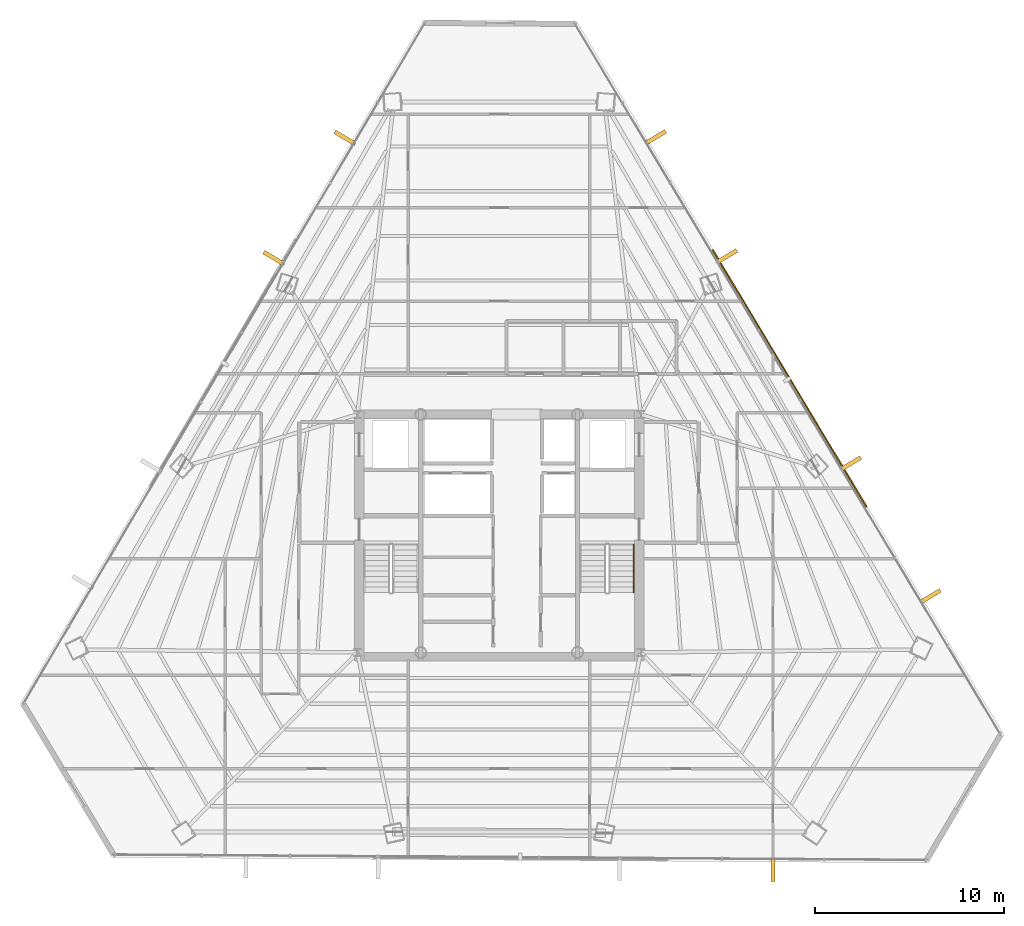
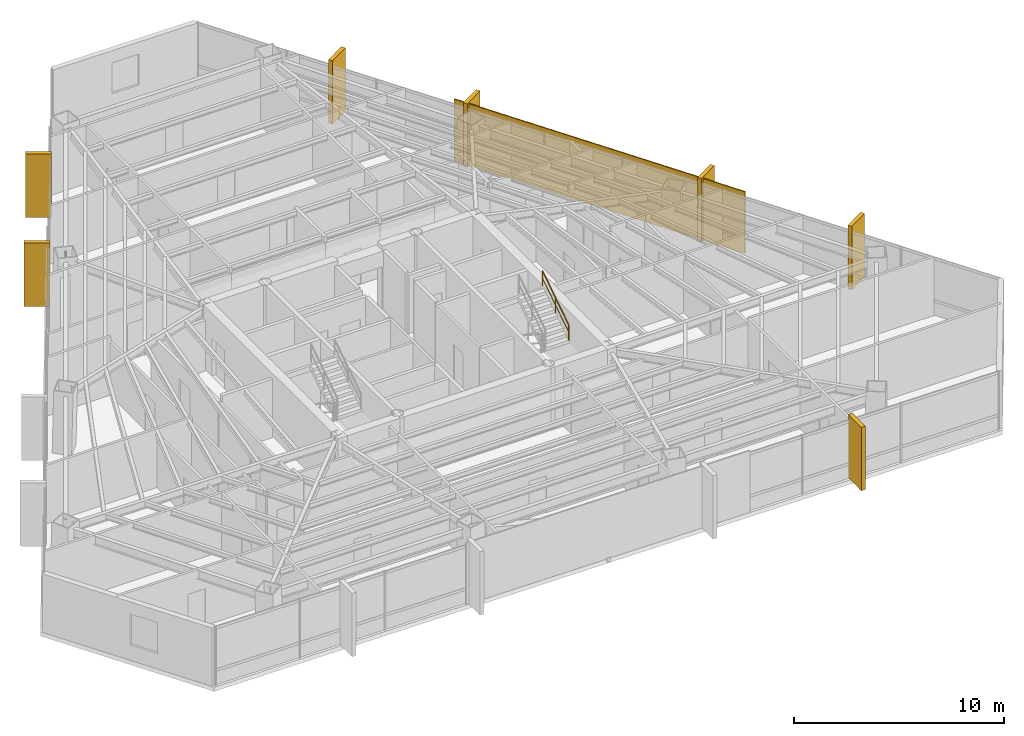
# One storey, part 41 of 41: 7 coverings, 1 railing, 1 shading device.
"""IFC4 building model written with IfcOpenShell, lengths in metres."""

from ifc_helpers import new_model, si_unit, direction, frame, origin, origin_2d, place, context, subcontext, project, spatial, rectangle, extrude, source, transform, mapped, material, layer, layer_set, type_object, type_shapes, element, save


model = new_model("IFC4")

# Units and contexts
model_context = context("Model", 3, precision=1e-05, world=origin(), true_north=direction((0.0, 1.0)))
body_context = subcontext(model_context, "Body", "Model", "MODEL_VIEW")
ifc_project = project(units=[si_unit("LENGTHUNIT", "METRE"), si_unit("AREAUNIT", "SQUARE_METRE"), si_unit("VOLUMEUNIT", "CUBIC_METRE"), si_unit("PLANEANGLEUNIT", "RADIAN"), si_unit("MASSUNIT", "GRAM", prefix="KILO")], contexts=[model_context])

# Site, building, storey
site_placement = place(None, origin())
site = spatial("IfcSite", under=ifc_project, at=site_placement, CompositionType="ELEMENT")
building_placement = place(site_placement, origin())
building = spatial("IfcBuilding", under=site, at=building_placement, Name="Caelisora Broadcast Tower", CompositionType="ELEMENT")
storey_placement = place(building_placement, frame((0.0, 0.0, 180.39990234375)))
storey = spatial("IfcBuildingStorey", under=building, at=storey_placement, Name="L47", CompositionType="ELEMENT", Elevation=180.39990234375)

# Railing
ifc_material_1 = material(Name="Stainless Steel Grade 316 Tubular Handrail", Category="steel")
ifc_layer_1 = layer(ifc_material_1, 0.048095703125, Name="Stainless Steel Grade 316 Tubular Handrail")
ifc_layer_set_1 = layer_set([ifc_layer_1], Name="Stainless Steel Grade 316 Tubular Handrail")
railing_type = type_object("IfcRailingType", Name="HR-1", PredefinedType="HANDRAIL", material=ifc_layer_set_1)
railing_placement = place(storey_placement, frame((45.1298828125, 20.580078125, 2.007568359375)))
element("IfcRailing", 1, at=railing_placement, inside=storey, type_object=railing_type, Name="L47 ST-2 stair handrail 2", PredefinedType="HANDRAIL", context=body_context, shape_type="SweptSolid", body=[
    extrude(rectangle(XDim=0.048095703125, YDim=0.048095703125, at=origin_2d()), frame((0.0, 0.0, 0.8759765625), z_axis=(0.0, 0.837749427056, 0.546054848405), x_axis=(-1.0, 0.0, 0.0)), (0.0, 0.0, 1.0), 3.008056640625),
    extrude(rectangle(XDim=0.03125, YDim=0.03125, at=origin_2d()), frame((0.0, 0.0, 0.449951171875), z_axis=(0.0, 0.837749427056, 0.546054848405), x_axis=(-1.0, 0.0, 0.0)), (0.0, 0.0, 1.0), 3.008056640625),
    extrude(rectangle(XDim=0.0419921875, YDim=0.0419921875, at=origin_2d()), origin(), (0.0, 0.0, 1.0), 0.851806640625),
    extrude(rectangle(XDim=0.0419921875, YDim=0.0419921875, at=origin_2d()), frame((0.0, 1.260009765625, 0.8212890625)), (0.0, 0.0, 1.0), 0.851806640625),
    extrude(rectangle(XDim=0.0419921875, YDim=0.0419921875, at=origin_2d()), frame((0.0, 2.52001953125, 1.642578125)), (0.0, 0.0, 1.0), 0.851806640625),
])

# Coverings
ifc_material_2 = material(Name="Kiln-Fired Terracotta Spandrel Rainscreen Cladding", Category="ceramic")
ifc_layer_2 = layer(ifc_material_2, 0.044921875, Name="Kiln-Fired Terracotta Spandrel Rainscreen Cladding")
ifc_layer_set_2 = layer_set([ifc_layer_2], Name="Kiln-Fired Terracotta Spandrel Rainscreen Cladding")
covering_type = type_object("IfcCoveringType", Name="CL-1", PredefinedType="CLADDING", material=ifc_layer_set_2)
shared_shape_1 = source(origin(), body_context, "Body", "SweptSolid", [
    extrude(rectangle(XDim=0.219970703125, YDim=1.25, at=origin_2d()), origin(), (0.0, 0.0, 1.0), 3.68994140625),
])
type_shapes(covering_type, [shared_shape_1])
for number, where, z_axis, x_axis, name in (
    (2, (46.2724609375, 44.664306640625, -0.019775390625), (0.0, 0.0, 1.0), (0.513840741921, -0.857885593737, 0.0), "L47 vertical solar fin cladding #1-1"),
    (3, (50.04833984375, 38.359619140625, -0.019775390625), (0.0, 0.0, 1.0), (0.513840741921, -0.857885593737, 0.0), "L47 vertical solar fin cladding #1-2"),
    (4, (56.612548828125, 27.3994140625, -0.019775390625), (0.0, 0.0, 1.0), (0.513840741921, -0.857885593737, 0.0), "L47 vertical solar fin cladding #1-3"),
    (5, (60.824951171875, 20.3662109375, -0.019775390625), (0.0, 0.0, 1.0), (0.513840741921, -0.857885593737, 0.0), "L47 vertical solar fin cladding #1-4"),
    (6, (52.505615234375, 5.89892578125, -0.019775390625), (0.0, 0.0, 1.0), (-0.999978006703, 0.006632202536, 0.0), "L47 vertical solar fin cladding #2-1"),
    (7, (26.077880859375, 38.27392578125, -0.019775390625), (0.0, 0.0, 1.0), (0.508139769859, 0.861274621876, 0.0), "L47 vertical solar fin cladding #3-3"),
    (8, (29.8369140625, 44.645751953125, -0.019775390625), (0.0, 0.0, 1.0), (0.508139769859, 0.861274621876, 0.0), "L47 vertical solar fin cladding #3-4"),
):
    element("IfcCovering", number, at=place(storey_placement, frame(where, z_axis=z_axis, x_axis=x_axis)), inside=storey, type_object=covering_type, Name=name, PredefinedType="CLADDING", context=body_context, shape_type="MappedRepresentation", body=[
        mapped(shared_shape_1, transform((0.0, 0.0, 0.0), scale=1.0)),
    ])

# Shading device
ifc_material_3 = material(Name="Perforated Glazed Terracotta Baguette Solar Screen", Category="ceramic")
ifc_layer_3 = layer(ifc_material_3, 0.06494140625, Name="Perforated Glazed Terracotta Baguette Solar Screen")
ifc_layer_set_3 = layer_set([ifc_layer_3], Name="Perforated Glazed Terracotta Baguette Solar Screen")
shading_device_type = type_object("IfcShadingDeviceType", Name="SS-1", PredefinedType="USERDEFINED", material=ifc_layer_set_3)
shared_shape_2 = source(origin(), body_context, "Body", "SweptSolid", [
    extrude(rectangle(XDim=15.85498046875, YDim=0.06494140625, at=origin_2d()), origin(), (0.0, 0.0, 1.0), 3.590087890625),
])
type_shapes(shading_device_type, [shared_shape_2])
shading_device_placement = place(storey_placement, frame((53.381591796875, 31.91748046875, 0.0), z_axis=(0.0, 0.0, 1.0), x_axis=(-0.513840741921, 0.857885593737, 0.0)))
element("IfcShadingDevice", 9, at=shading_device_placement, inside=storey, type_object=shading_device_type, Name="L47 perforated terracotta solar screen #3", ObjectType="SOLAR SCREEN", PredefinedType="USERDEFINED", context=body_context, shape_type="MappedRepresentation", body=[
    mapped(shared_shape_2, transform((0.0, 0.0, 0.0), scale=1.0)),
])

save(model, "model.ifc")
